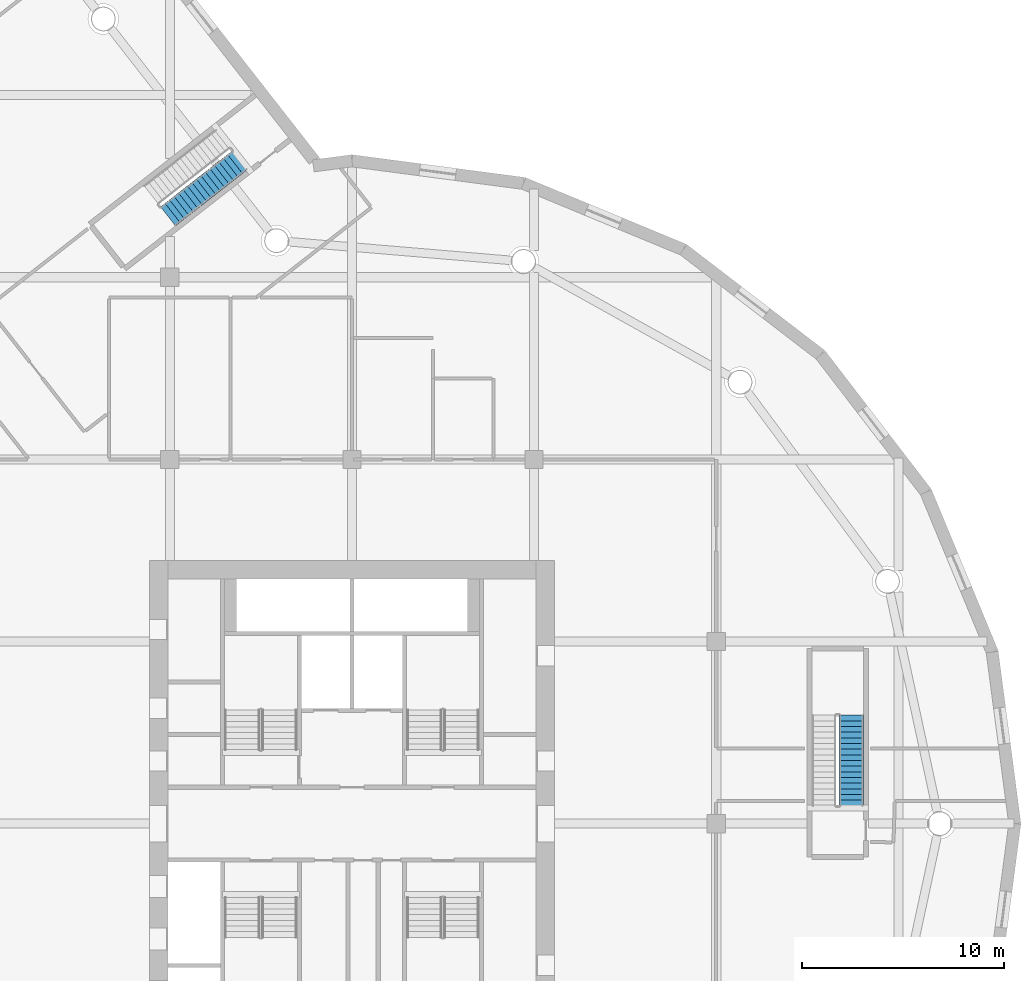
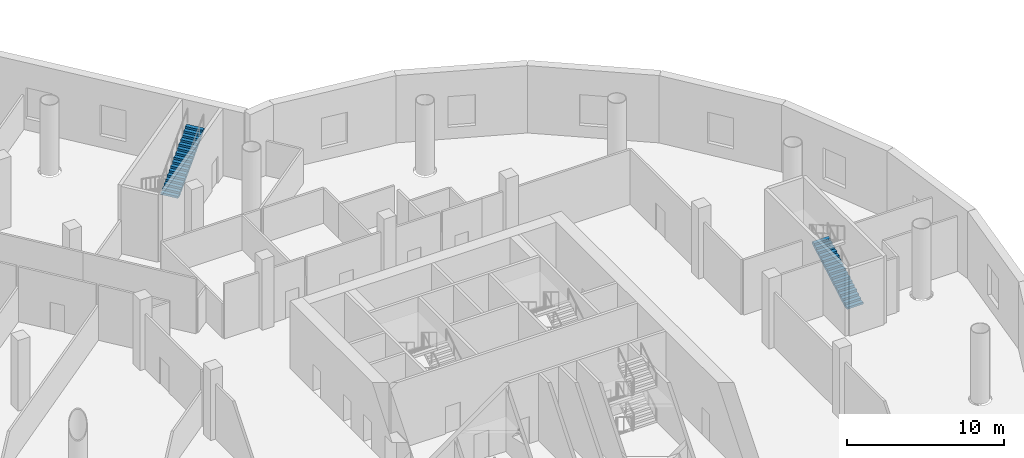
# One storey, part 17 of 23: 2 stair flights, 2 elements without a shape of their own.
"""IFC4 building model written with IfcOpenShell, lengths in metres."""

from ifc_helpers import new_model, si_unit, direction, frame, origin, place, context, subcontext, project, spatial, faceted_brep, material, type_object, element, aggregate, save


model = new_model("IFC4")

# Units and contexts
model_context = context("Model", 3, precision=1e-05, world=origin(), true_north=direction((0.0, 1.0)))
body_context = subcontext(model_context, "Body", "Model", "MODEL_VIEW")
ifc_project = project(units=[si_unit("LENGTHUNIT", "METRE"), si_unit("AREAUNIT", "SQUARE_METRE"), si_unit("VOLUMEUNIT", "CUBIC_METRE"), si_unit("PLANEANGLEUNIT", "RADIAN"), si_unit("MASSUNIT", "GRAM", prefix="KILO")], contexts=[model_context])

# Site, building, storey
site_placement = place(None, origin())
site = spatial("IfcSite", under=ifc_project, at=site_placement, CompositionType="ELEMENT")
building_placement = place(site_placement, origin())
building = spatial("IfcBuilding", under=site, at=building_placement, Name="Tarsis Ring Headquarters", CompositionType="ELEMENT")
storey_placement = place(building_placement, frame((0.0, 0.0, 19.5)))
storey = spatial("IfcBuildingStorey", under=building, at=storey_placement, Name="L03", CompositionType="ELEMENT", Elevation=19.5)

# Stair, stair flight
ifc_material = material(Name="Concrete C40/50", Category="concrete")
stair_type = type_object("IfcStairType", Name="PO-ST", PredefinedType="HALF_TURN_STAIR", material=ifc_material)
stair_1_placement = place(storey_placement, origin())
stair_1 = element("IfcStair", 1, at=stair_1_placement, inside=storey, type_object=stair_type, Name="L03 Podium stair", PredefinedType="HALF_TURN_STAIR")
stair_flight_type = type_object("IfcStairFlightType", Name="PO-STF", PredefinedType="STRAIGHT", material=ifc_material)
stair_flight_1_placement = place(storey_placement, frame((24.675048828125, 0.8798828125, 0.0), z_axis=(0.0, 0.0, 1.0), x_axis=(0.0, 1.0, 0.0)))
stair_flight_1 = element("IfcStairFlight", 2, at=stair_flight_1_placement, type_object=stair_flight_type, Name="Stair PS1 flight 1", NumberOfRisers=17, NumberOfTreads=16, PredefinedType="STRAIGHT", RiserHeight=0.161764706, TreadLength=0.28, context=body_context, shape_type="Brep", body=[
    faceted_brep([(0.0, 0.60009765625, 0.0), (0.0, 0.60009765625, 0.161865234375), (0.280029296875, 0.60009765625, 0.161865234375), (0.280029296875, 0.60009765625, 0.323486328125), (0.56005859375, 0.60009765625, 0.323486328125), (0.56005859375, 0.60009765625, 0.4853515625), (0.840087890625, 0.60009765625, 0.4853515625), (0.840087890625, 0.60009765625, 0.64697265625), (1.1201171875, 0.60009765625, 0.64697265625), (1.1201171875, 0.60009765625, 0.808837890625), (1.39990234375, 0.60009765625, 0.808837890625), (1.39990234375, 0.60009765625, 0.970703125), (1.679931640625, 0.60009765625, 0.970703125), (1.679931640625, 0.60009765625, 1.13232421875), (1.9599609375, 0.60009765625, 1.13232421875), (1.9599609375, 0.60009765625, 1.294189453125), (2.239990234375, 0.60009765625, 1.294189453125), (2.239990234375, 0.60009765625, 1.455810546875), (2.52001953125, 0.60009765625, 1.455810546875), (2.52001953125, 0.60009765625, 1.61767578125), (2.800048828125, 0.60009765625, 1.61767578125), (2.800048828125, 0.60009765625, 1.779296875), (3.080078125, 0.60009765625, 1.779296875), (3.080078125, 0.60009765625, 1.941162109375), (3.360107421875, 0.60009765625, 1.941162109375), (3.360107421875, 0.60009765625, 2.10302734375), (3.639892578125, 0.60009765625, 2.10302734375), (3.639892578125, 0.60009765625, 2.2646484375), (3.919921875, 0.60009765625, 2.2646484375), (3.919921875, 0.60009765625, 2.426513671875), (4.199951171875, 0.60009765625, 2.426513671875), (4.199951171875, 0.60009765625, 2.588134765625), (4.47998046875, 0.60009765625, 2.588134765625), (4.47998046875, 0.60009765625, 2.4150390625), (0.299560546875, 0.60009765625, 0.0), (0.299560546875, -0.60009765625, 0.0), (4.47998046875, -0.60009765625, 2.4150390625), (4.47998046875, -0.60009765625, 2.588134765625), (4.199951171875, -0.60009765625, 2.588134765625), (4.199951171875, -0.60009765625, 2.426513671875), (3.919921875, -0.60009765625, 2.426513671875), (3.919921875, -0.60009765625, 2.2646484375), (3.639892578125, -0.60009765625, 2.2646484375), (3.639892578125, -0.60009765625, 2.10302734375), (3.360107421875, -0.60009765625, 2.10302734375), (3.360107421875, -0.60009765625, 1.941162109375), (3.080078125, -0.60009765625, 1.941162109375), (3.080078125, -0.60009765625, 1.779296875), (2.800048828125, -0.60009765625, 1.779296875), (2.800048828125, -0.60009765625, 1.61767578125), (2.52001953125, -0.60009765625, 1.61767578125), (2.52001953125, -0.60009765625, 1.455810546875), (2.239990234375, -0.60009765625, 1.455810546875), (2.239990234375, -0.60009765625, 1.294189453125), (1.9599609375, -0.60009765625, 1.294189453125), (1.9599609375, -0.60009765625, 1.13232421875), (1.679931640625, -0.60009765625, 1.13232421875), (1.679931640625, -0.60009765625, 0.970703125), (1.39990234375, -0.60009765625, 0.970703125), (1.39990234375, -0.60009765625, 0.808837890625), (1.1201171875, -0.60009765625, 0.808837890625), (1.1201171875, -0.60009765625, 0.64697265625), (0.840087890625, -0.60009765625, 0.64697265625), (0.840087890625, -0.60009765625, 0.4853515625), (0.56005859375, -0.60009765625, 0.4853515625), (0.56005859375, -0.60009765625, 0.323486328125), (0.280029296875, -0.60009765625, 0.323486328125), (0.280029296875, -0.60009765625, 0.161865234375), (0.0, -0.60009765625, 0.161865234375), (0.0, -0.60009765625, 0.0), (0.0, -0.300048828125, 0.161865234375), (0.0, -0.300048828125, 0.0), (0.0, 0.0, 0.161865234375), (0.0, 0.0, 0.0), (0.0, 0.300048828125, 0.161865234375), (0.0, 0.300048828125, 0.0), (0.280029296875, -0.300048828125, 0.161865234375), (0.280029296875, 0.0, 0.161865234375), (0.280029296875, 0.300048828125, 0.161865234375), (0.280029296875, -0.300048828125, 0.323486328125), (0.280029296875, 0.0, 0.323486328125), (0.280029296875, 0.300048828125, 0.323486328125), (0.56005859375, -0.300048828125, 0.323486328125), (0.56005859375, 0.0, 0.323486328125), (0.56005859375, 0.300048828125, 0.323486328125), (0.56005859375, -0.300048828125, 0.4853515625), (0.56005859375, 0.0, 0.4853515625), (0.56005859375, 0.300048828125, 0.4853515625), (0.840087890625, -0.300048828125, 0.4853515625), (0.840087890625, 0.0, 0.4853515625), (0.840087890625, 0.300048828125, 0.4853515625), (0.840087890625, -0.300048828125, 0.64697265625), (0.840087890625, 0.0, 0.64697265625), (0.840087890625, 0.300048828125, 0.64697265625), (1.1201171875, -0.300048828125, 0.64697265625), (1.1201171875, 0.0, 0.64697265625), (1.1201171875, 0.300048828125, 0.64697265625), (1.1201171875, -0.300048828125, 0.808837890625), (1.1201171875, 0.0, 0.808837890625), (1.1201171875, 0.300048828125, 0.808837890625), (1.39990234375, -0.300048828125, 0.808837890625), (1.39990234375, 0.0, 0.808837890625), (1.39990234375, 0.300048828125, 0.808837890625), (1.39990234375, -0.300048828125, 0.970703125), (1.39990234375, 0.0, 0.970703125), (1.39990234375, 0.300048828125, 0.970703125), (1.679931640625, -0.300048828125, 0.970703125), (1.679931640625, 0.0, 0.970703125), (1.679931640625, 0.300048828125, 0.970703125), (1.679931640625, -0.300048828125, 1.13232421875), (1.679931640625, 0.0, 1.13232421875), (1.679931640625, 0.300048828125, 1.13232421875), (1.9599609375, -0.300048828125, 1.13232421875), (1.9599609375, 0.0, 1.13232421875), (1.9599609375, 0.300048828125, 1.13232421875), (1.9599609375, -0.300048828125, 1.294189453125), (1.9599609375, 0.0, 1.294189453125), (1.9599609375, 0.300048828125, 1.294189453125), (2.239990234375, -0.300048828125, 1.294189453125), (2.239990234375, 0.0, 1.294189453125), (2.239990234375, 0.300048828125, 1.294189453125), (2.239990234375, -0.300048828125, 1.455810546875), (2.239990234375, 0.0, 1.455810546875), (2.239990234375, 0.300048828125, 1.455810546875), (2.52001953125, -0.300048828125, 1.455810546875), (2.52001953125, 0.0, 1.455810546875), (2.52001953125, 0.300048828125, 1.455810546875), (2.52001953125, -0.300048828125, 1.61767578125), (2.52001953125, 0.0, 1.61767578125), (2.52001953125, 0.300048828125, 1.61767578125), (2.800048828125, -0.300048828125, 1.61767578125), (2.800048828125, 0.0, 1.61767578125), (2.800048828125, 0.300048828125, 1.61767578125), (2.800048828125, -0.300048828125, 1.779296875), (2.800048828125, 0.0, 1.779296875), (2.800048828125, 0.300048828125, 1.779296875), (3.080078125, -0.300048828125, 1.779296875), (3.080078125, 0.0, 1.779296875), (3.080078125, 0.300048828125, 1.779296875), (3.080078125, -0.300048828125, 1.941162109375), (3.080078125, 0.0, 1.941162109375), (3.080078125, 0.300048828125, 1.941162109375), (3.360107421875, -0.300048828125, 1.941162109375), (3.360107421875, 0.0, 1.941162109375), (3.360107421875, 0.300048828125, 1.941162109375), (3.360107421875, -0.300048828125, 2.10302734375), (3.360107421875, 0.0, 2.10302734375), (3.360107421875, 0.300048828125, 2.10302734375), (3.639892578125, -0.300048828125, 2.10302734375), (3.639892578125, 0.0, 2.10302734375), (3.639892578125, 0.300048828125, 2.10302734375), (3.639892578125, -0.300048828125, 2.2646484375), (3.639892578125, 0.0, 2.2646484375), (3.639892578125, 0.300048828125, 2.2646484375), (3.919921875, -0.300048828125, 2.2646484375), (3.919921875, 0.0, 2.2646484375), (3.919921875, 0.300048828125, 2.2646484375), (3.919921875, -0.300048828125, 2.426513671875), (3.919921875, 0.0, 2.426513671875), (3.919921875, 0.300048828125, 2.426513671875), (4.199951171875, -0.300048828125, 2.426513671875), (4.199951171875, 0.0, 2.426513671875), (4.199951171875, 0.300048828125, 2.426513671875), (4.199951171875, -0.300048828125, 2.588134765625), (4.199951171875, 0.0, 2.588134765625), (4.199951171875, 0.300048828125, 2.588134765625), (4.47998046875, -0.300048828125, 2.588134765625), (4.47998046875, 0.0, 2.588134765625), (4.47998046875, 0.300048828125, 2.588134765625), (4.47998046875, -0.300048828125, 2.4150390625), (4.47998046875, 0.0, 2.4150390625), (4.47998046875, 0.300048828125, 2.4150390625), (0.299560546875, -0.300048828125, 0.0), (0.299560546875, 0.0, 0.0), (0.299560546875, 0.300048828125, 0.0)], [[[0, 1, 2, 3, 4, 5, 6, 7, 8, 9, 10, 11, 12, 13, 14, 15, 16, 17, 18, 19, 20, 21, 22, 23, 24, 25, 26, 27, 28, 29, 30, 31, 32, 33, 34]], [[35, 36, 37, 38, 39, 40, 41, 42, 43, 44, 45, 46, 47, 48, 49, 50, 51, 52, 53, 54, 55, 56, 57, 58, 59, 60, 61, 62, 63, 64, 65, 66, 67, 68, 69]], [[69, 68, 70, 71]], [[71, 70, 72, 73]], [[73, 72, 74, 75]], [[75, 74, 1, 0]], [[68, 67, 76, 70]], [[70, 76, 77, 72]], [[72, 77, 78, 74]], [[74, 78, 2, 1]], [[67, 66, 79, 76]], [[76, 79, 80, 77]], [[77, 80, 81, 78]], [[78, 81, 3, 2]], [[66, 65, 82, 79]], [[79, 82, 83, 80]], [[80, 83, 84, 81]], [[81, 84, 4, 3]], [[65, 64, 85, 82]], [[82, 85, 86, 83]], [[83, 86, 87, 84]], [[84, 87, 5, 4]], [[64, 63, 88, 85]], [[85, 88, 89, 86]], [[86, 89, 90, 87]], [[87, 90, 6, 5]], [[63, 62, 91, 88]], [[88, 91, 92, 89]], [[89, 92, 93, 90]], [[90, 93, 7, 6]], [[62, 61, 94, 91]], [[91, 94, 95, 92]], [[92, 95, 96, 93]], [[93, 96, 8, 7]], [[61, 60, 97, 94]], [[94, 97, 98, 95]], [[95, 98, 99, 96]], [[96, 99, 9, 8]], [[60, 59, 100, 97]], [[97, 100, 101, 98]], [[98, 101, 102, 99]], [[99, 102, 10, 9]], [[59, 58, 103, 100]], [[100, 103, 104, 101]], [[101, 104, 105, 102]], [[102, 105, 11, 10]], [[58, 57, 106, 103]], [[103, 106, 107, 104]], [[104, 107, 108, 105]], [[105, 108, 12, 11]], [[57, 56, 109, 106]], [[106, 109, 110, 107]], [[107, 110, 111, 108]], [[108, 111, 13, 12]], [[56, 55, 112, 109]], [[109, 112, 113, 110]], [[110, 113, 114, 111]], [[111, 114, 14, 13]], [[55, 54, 115, 112]], [[112, 115, 116, 113]], [[113, 116, 117, 114]], [[114, 117, 15, 14]], [[54, 53, 118, 115]], [[115, 118, 119, 116]], [[116, 119, 120, 117]], [[117, 120, 16, 15]], [[53, 52, 121, 118]], [[118, 121, 122, 119]], [[119, 122, 123, 120]], [[120, 123, 17, 16]], [[52, 51, 124, 121]], [[121, 124, 125, 122]], [[122, 125, 126, 123]], [[123, 126, 18, 17]], [[51, 50, 127, 124]], [[124, 127, 128, 125]], [[125, 128, 129, 126]], [[126, 129, 19, 18]], [[50, 49, 130, 127]], [[127, 130, 131, 128]], [[128, 131, 132, 129]], [[129, 132, 20, 19]], [[49, 48, 133, 130]], [[130, 133, 134, 131]], [[131, 134, 135, 132]], [[132, 135, 21, 20]], [[48, 47, 136, 133]], [[133, 136, 137, 134]], [[134, 137, 138, 135]], [[135, 138, 22, 21]], [[47, 46, 139, 136]], [[136, 139, 140, 137]], [[137, 140, 141, 138]], [[138, 141, 23, 22]], [[46, 45, 142, 139]], [[139, 142, 143, 140]], [[140, 143, 144, 141]], [[141, 144, 24, 23]], [[45, 44, 145, 142]], [[142, 145, 146, 143]], [[143, 146, 147, 144]], [[144, 147, 25, 24]], [[44, 43, 148, 145]], [[145, 148, 149, 146]], [[146, 149, 150, 147]], [[147, 150, 26, 25]], [[43, 42, 151, 148]], [[148, 151, 152, 149]], [[149, 152, 153, 150]], [[150, 153, 27, 26]], [[42, 41, 154, 151]], [[151, 154, 155, 152]], [[152, 155, 156, 153]], [[153, 156, 28, 27]], [[41, 40, 157, 154]], [[154, 157, 158, 155]], [[155, 158, 159, 156]], [[156, 159, 29, 28]], [[40, 39, 160, 157]], [[157, 160, 161, 158]], [[158, 161, 162, 159]], [[159, 162, 30, 29]], [[39, 38, 163, 160]], [[160, 163, 164, 161]], [[161, 164, 165, 162]], [[162, 165, 31, 30]], [[38, 37, 166, 163]], [[163, 166, 167, 164]], [[164, 167, 168, 165]], [[165, 168, 32, 31]], [[37, 36, 169, 166]], [[166, 169, 170, 167]], [[167, 170, 171, 168]], [[168, 171, 33, 32]], [[36, 35, 172, 169]], [[169, 172, 173, 170]], [[170, 173, 174, 171]], [[171, 174, 34, 33]], [[35, 69, 71, 172]], [[172, 71, 73, 173]], [[173, 73, 75, 174]], [[174, 75, 0, 34]]]),
])
aggregate(stair_1, [stair_flight_1])

stair_2_placement = place(storey_placement, origin())
stair_2 = element("IfcStair", 3, at=stair_2_placement, inside=storey, type_object=stair_type, Name="L03 Podium stair", PredefinedType="HALF_TURN_STAIR")
stair_flight_2_placement = place(storey_placement, frame((-9.088623046875, 30.01220703125, 2.75), z_axis=(0.0, 0.0, 1.0), x_axis=(0.788276433435, 0.615321269331, 0.0)))
stair_flight_2 = element("IfcStairFlight", 4, at=stair_flight_2_placement, type_object=stair_flight_type, Name="Stair PS3 flight 2", NumberOfRisers=17, NumberOfTreads=16, PredefinedType="STRAIGHT", RiserHeight=0.161764706, TreadLength=0.28, context=body_context, shape_type="Brep", body=[
    faceted_brep([(0.0, 0.60009765625, 0.0), (0.0, 0.60009765625, 0.161865234375), (0.280029296875, 0.60009765625, 0.161865234375), (0.280029296875, 0.60009765625, 0.323486328125), (0.56005859375, 0.60009765625, 0.323486328125), (0.56005859375, 0.60009765625, 0.4853515625), (0.840087890625, 0.60009765625, 0.4853515625), (0.840087890625, 0.60009765625, 0.64697265625), (1.1201171875, 0.60009765625, 0.64697265625), (1.1201171875, 0.60009765625, 0.808837890625), (1.39990234375, 0.60009765625, 0.808837890625), (1.39990234375, 0.60009765625, 0.970703125), (1.679931640625, 0.60009765625, 0.970703125), (1.679931640625, 0.60009765625, 1.13232421875), (1.9599609375, 0.60009765625, 1.13232421875), (1.9599609375, 0.60009765625, 1.294189453125), (2.239990234375, 0.60009765625, 1.294189453125), (2.239990234375, 0.60009765625, 1.455810546875), (2.52001953125, 0.60009765625, 1.455810546875), (2.52001953125, 0.60009765625, 1.61767578125), (2.800048828125, 0.60009765625, 1.61767578125), (2.800048828125, 0.60009765625, 1.779296875), (3.080078125, 0.60009765625, 1.779296875), (3.080078125, 0.60009765625, 1.941162109375), (3.360107421875, 0.60009765625, 1.941162109375), (3.360107421875, 0.60009765625, 2.10302734375), (3.639892578125, 0.60009765625, 2.10302734375), (3.639892578125, 0.60009765625, 2.2646484375), (3.919921875, 0.60009765625, 2.2646484375), (3.919921875, 0.60009765625, 2.426513671875), (4.199951171875, 0.60009765625, 2.426513671875), (4.199951171875, 0.60009765625, 2.588134765625), (4.47998046875, 0.60009765625, 2.588134765625), (4.47998046875, 0.60009765625, 2.4150390625), (0.299560546875, 0.60009765625, 0.0), (0.299560546875, -0.60009765625, 0.0), (4.47998046875, -0.60009765625, 2.4150390625), (4.47998046875, -0.60009765625, 2.588134765625), (4.199951171875, -0.60009765625, 2.588134765625), (4.199951171875, -0.60009765625, 2.426513671875), (3.919921875, -0.60009765625, 2.426513671875), (3.919921875, -0.60009765625, 2.2646484375), (3.639892578125, -0.60009765625, 2.2646484375), (3.639892578125, -0.60009765625, 2.10302734375), (3.360107421875, -0.60009765625, 2.10302734375), (3.360107421875, -0.60009765625, 1.941162109375), (3.080078125, -0.60009765625, 1.941162109375), (3.080078125, -0.60009765625, 1.779296875), (2.800048828125, -0.60009765625, 1.779296875), (2.800048828125, -0.60009765625, 1.61767578125), (2.52001953125, -0.60009765625, 1.61767578125), (2.52001953125, -0.60009765625, 1.455810546875), (2.239990234375, -0.60009765625, 1.455810546875), (2.239990234375, -0.60009765625, 1.294189453125), (1.9599609375, -0.60009765625, 1.294189453125), (1.9599609375, -0.60009765625, 1.13232421875), (1.679931640625, -0.60009765625, 1.13232421875), (1.679931640625, -0.60009765625, 0.970703125), (1.39990234375, -0.60009765625, 0.970703125), (1.39990234375, -0.60009765625, 0.808837890625), (1.1201171875, -0.60009765625, 0.808837890625), (1.1201171875, -0.60009765625, 0.64697265625), (0.840087890625, -0.60009765625, 0.64697265625), (0.840087890625, -0.60009765625, 0.4853515625), (0.56005859375, -0.60009765625, 0.4853515625), (0.56005859375, -0.60009765625, 0.323486328125), (0.280029296875, -0.60009765625, 0.323486328125), (0.280029296875, -0.60009765625, 0.161865234375), (0.0, -0.60009765625, 0.161865234375), (0.0, -0.60009765625, 0.0), (0.0, -0.300048828125, 0.161865234375), (0.0, -0.300048828125, 0.0), (0.0, 0.0, 0.161865234375), (0.0, 0.0, 0.0), (0.0, 0.300048828125, 0.161865234375), (0.0, 0.300048828125, 0.0), (0.280029296875, -0.300048828125, 0.161865234375), (0.280029296875, 0.0, 0.161865234375), (0.280029296875, 0.300048828125, 0.161865234375), (0.280029296875, -0.300048828125, 0.323486328125), (0.280029296875, 0.0, 0.323486328125), (0.280029296875, 0.300048828125, 0.323486328125), (0.56005859375, -0.300048828125, 0.323486328125), (0.56005859375, 0.0, 0.323486328125), (0.56005859375, 0.300048828125, 0.323486328125), (0.56005859375, -0.300048828125, 0.4853515625), (0.56005859375, 0.0, 0.4853515625), (0.56005859375, 0.300048828125, 0.4853515625), (0.840087890625, -0.300048828125, 0.4853515625), (0.840087890625, 0.0, 0.4853515625), (0.840087890625, 0.300048828125, 0.4853515625), (0.840087890625, -0.300048828125, 0.64697265625), (0.840087890625, 0.0, 0.64697265625), (0.840087890625, 0.300048828125, 0.64697265625), (1.1201171875, -0.300048828125, 0.64697265625), (1.1201171875, 0.0, 0.64697265625), (1.1201171875, 0.300048828125, 0.64697265625), (1.1201171875, -0.300048828125, 0.808837890625), (1.1201171875, 0.0, 0.808837890625), (1.1201171875, 0.300048828125, 0.808837890625), (1.39990234375, -0.300048828125, 0.808837890625), (1.39990234375, 0.0, 0.808837890625), (1.39990234375, 0.300048828125, 0.808837890625), (1.39990234375, -0.300048828125, 0.970703125), (1.39990234375, 0.0, 0.970703125), (1.39990234375, 0.300048828125, 0.970703125), (1.679931640625, -0.300048828125, 0.970703125), (1.679931640625, 0.0, 0.970703125), (1.679931640625, 0.300048828125, 0.970703125), (1.679931640625, -0.300048828125, 1.13232421875), (1.679931640625, 0.0, 1.13232421875), (1.679931640625, 0.300048828125, 1.13232421875), (1.9599609375, -0.300048828125, 1.13232421875), (1.9599609375, 0.0, 1.13232421875), (1.9599609375, 0.300048828125, 1.13232421875), (1.9599609375, -0.300048828125, 1.294189453125), (1.9599609375, 0.0, 1.294189453125), (1.9599609375, 0.300048828125, 1.294189453125), (2.239990234375, -0.300048828125, 1.294189453125), (2.239990234375, 0.0, 1.294189453125), (2.239990234375, 0.300048828125, 1.294189453125), (2.239990234375, -0.300048828125, 1.455810546875), (2.239990234375, 0.0, 1.455810546875), (2.239990234375, 0.300048828125, 1.455810546875), (2.52001953125, -0.300048828125, 1.455810546875), (2.52001953125, 0.0, 1.455810546875), (2.52001953125, 0.300048828125, 1.455810546875), (2.52001953125, -0.300048828125, 1.61767578125), (2.52001953125, 0.0, 1.61767578125), (2.52001953125, 0.300048828125, 1.61767578125), (2.800048828125, -0.300048828125, 1.61767578125), (2.800048828125, 0.0, 1.61767578125), (2.800048828125, 0.300048828125, 1.61767578125), (2.800048828125, -0.300048828125, 1.779296875), (2.800048828125, 0.0, 1.779296875), (2.800048828125, 0.300048828125, 1.779296875), (3.080078125, -0.300048828125, 1.779296875), (3.080078125, 0.0, 1.779296875), (3.080078125, 0.300048828125, 1.779296875), (3.080078125, -0.300048828125, 1.941162109375), (3.080078125, 0.0, 1.941162109375), (3.080078125, 0.300048828125, 1.941162109375), (3.360107421875, -0.300048828125, 1.941162109375), (3.360107421875, 0.0, 1.941162109375), (3.360107421875, 0.300048828125, 1.941162109375), (3.360107421875, -0.300048828125, 2.10302734375), (3.360107421875, 0.0, 2.10302734375), (3.360107421875, 0.300048828125, 2.10302734375), (3.639892578125, -0.300048828125, 2.10302734375), (3.639892578125, 0.0, 2.10302734375), (3.639892578125, 0.300048828125, 2.10302734375), (3.639892578125, -0.300048828125, 2.2646484375), (3.639892578125, 0.0, 2.2646484375), (3.639892578125, 0.300048828125, 2.2646484375), (3.919921875, -0.300048828125, 2.2646484375), (3.919921875, 0.0, 2.2646484375), (3.919921875, 0.300048828125, 2.2646484375), (3.919921875, -0.300048828125, 2.426513671875), (3.919921875, 0.0, 2.426513671875), (3.919921875, 0.300048828125, 2.426513671875), (4.199951171875, -0.300048828125, 2.426513671875), (4.199951171875, 0.0, 2.426513671875), (4.199951171875, 0.300048828125, 2.426513671875), (4.199951171875, -0.300048828125, 2.588134765625), (4.199951171875, 0.0, 2.588134765625), (4.199951171875, 0.300048828125, 2.588134765625), (4.47998046875, -0.300048828125, 2.588134765625), (4.47998046875, 0.0, 2.588134765625), (4.47998046875, 0.300048828125, 2.588134765625), (4.47998046875, -0.300048828125, 2.4150390625), (4.47998046875, 0.0, 2.4150390625), (4.47998046875, 0.300048828125, 2.4150390625), (0.299560546875, -0.300048828125, 0.0), (0.299560546875, 0.0, 0.0), (0.299560546875, 0.300048828125, 0.0)], [[[0, 1, 2, 3, 4, 5, 6, 7, 8, 9, 10, 11, 12, 13, 14, 15, 16, 17, 18, 19, 20, 21, 22, 23, 24, 25, 26, 27, 28, 29, 30, 31, 32, 33, 34]], [[35, 36, 37, 38, 39, 40, 41, 42, 43, 44, 45, 46, 47, 48, 49, 50, 51, 52, 53, 54, 55, 56, 57, 58, 59, 60, 61, 62, 63, 64, 65, 66, 67, 68, 69]], [[69, 68, 70, 71]], [[71, 70, 72, 73]], [[73, 72, 74, 75]], [[75, 74, 1, 0]], [[68, 67, 76, 70]], [[70, 76, 77, 72]], [[72, 77, 78, 74]], [[74, 78, 2, 1]], [[67, 66, 79, 76]], [[76, 79, 80, 77]], [[77, 80, 81, 78]], [[78, 81, 3, 2]], [[66, 65, 82, 79]], [[79, 82, 83, 80]], [[80, 83, 84, 81]], [[81, 84, 4, 3]], [[65, 64, 85, 82]], [[82, 85, 86, 83]], [[83, 86, 87, 84]], [[84, 87, 5, 4]], [[64, 63, 88, 85]], [[85, 88, 89, 86]], [[86, 89, 90, 87]], [[87, 90, 6, 5]], [[63, 62, 91, 88]], [[88, 91, 92, 89]], [[89, 92, 93, 90]], [[90, 93, 7, 6]], [[62, 61, 94, 91]], [[91, 94, 95, 92]], [[92, 95, 96, 93]], [[93, 96, 8, 7]], [[61, 60, 97, 94]], [[94, 97, 98, 95]], [[95, 98, 99, 96]], [[96, 99, 9, 8]], [[60, 59, 100, 97]], [[97, 100, 101, 98]], [[98, 101, 102, 99]], [[99, 102, 10, 9]], [[59, 58, 103, 100]], [[100, 103, 104, 101]], [[101, 104, 105, 102]], [[102, 105, 11, 10]], [[58, 57, 106, 103]], [[103, 106, 107, 104]], [[104, 107, 108, 105]], [[105, 108, 12, 11]], [[57, 56, 109, 106]], [[106, 109, 110, 107]], [[107, 110, 111, 108]], [[108, 111, 13, 12]], [[56, 55, 112, 109]], [[109, 112, 113, 110]], [[110, 113, 114, 111]], [[111, 114, 14, 13]], [[55, 54, 115, 112]], [[112, 115, 116, 113]], [[113, 116, 117, 114]], [[114, 117, 15, 14]], [[54, 53, 118, 115]], [[115, 118, 119, 116]], [[116, 119, 120, 117]], [[117, 120, 16, 15]], [[53, 52, 121, 118]], [[118, 121, 122, 119]], [[119, 122, 123, 120]], [[120, 123, 17, 16]], [[52, 51, 124, 121]], [[121, 124, 125, 122]], [[122, 125, 126, 123]], [[123, 126, 18, 17]], [[51, 50, 127, 124]], [[124, 127, 128, 125]], [[125, 128, 129, 126]], [[126, 129, 19, 18]], [[50, 49, 130, 127]], [[127, 130, 131, 128]], [[128, 131, 132, 129]], [[129, 132, 20, 19]], [[49, 48, 133, 130]], [[130, 133, 134, 131]], [[131, 134, 135, 132]], [[132, 135, 21, 20]], [[48, 47, 136, 133]], [[133, 136, 137, 134]], [[134, 137, 138, 135]], [[135, 138, 22, 21]], [[47, 46, 139, 136]], [[136, 139, 140, 137]], [[137, 140, 141, 138]], [[138, 141, 23, 22]], [[46, 45, 142, 139]], [[139, 142, 143, 140]], [[140, 143, 144, 141]], [[141, 144, 24, 23]], [[45, 44, 145, 142]], [[142, 145, 146, 143]], [[143, 146, 147, 144]], [[144, 147, 25, 24]], [[44, 43, 148, 145]], [[145, 148, 149, 146]], [[146, 149, 150, 147]], [[147, 150, 26, 25]], [[43, 42, 151, 148]], [[148, 151, 152, 149]], [[149, 152, 153, 150]], [[150, 153, 27, 26]], [[42, 41, 154, 151]], [[151, 154, 155, 152]], [[152, 155, 156, 153]], [[153, 156, 28, 27]], [[41, 40, 157, 154]], [[154, 157, 158, 155]], [[155, 158, 159, 156]], [[156, 159, 29, 28]], [[40, 39, 160, 157]], [[157, 160, 161, 158]], [[158, 161, 162, 159]], [[159, 162, 30, 29]], [[39, 38, 163, 160]], [[160, 163, 164, 161]], [[161, 164, 165, 162]], [[162, 165, 31, 30]], [[38, 37, 166, 163]], [[163, 166, 167, 164]], [[164, 167, 168, 165]], [[165, 168, 32, 31]], [[37, 36, 169, 166]], [[166, 169, 170, 167]], [[167, 170, 171, 168]], [[168, 171, 33, 32]], [[36, 35, 172, 169]], [[169, 172, 173, 170]], [[170, 173, 174, 171]], [[171, 174, 34, 33]], [[35, 69, 71, 172]], [[172, 71, 73, 173]], [[173, 73, 75, 174]], [[174, 75, 0, 34]]]),
])
aggregate(stair_2, [stair_flight_2])

save(model, "model.ifc")
